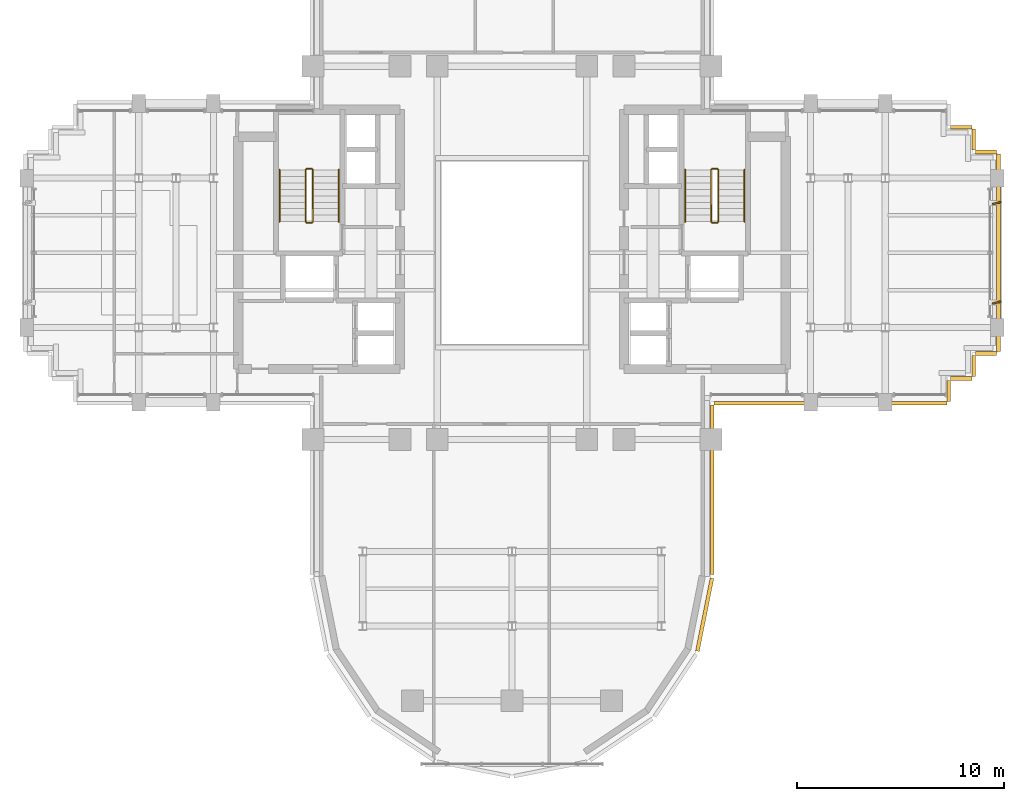
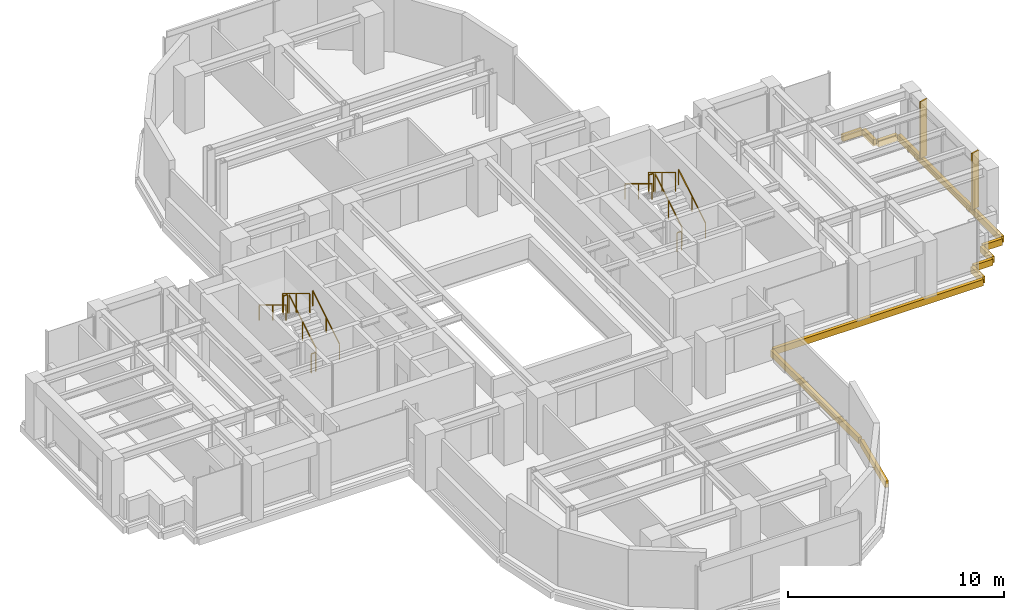
# One storey, part 12 of 13: 12 railings, 11 coverings, 2 shading devices.
"""IFC4 building model written with IfcOpenShell, lengths in metres."""

from ifc_helpers import new_model, si_unit, direction, frame, origin, origin_2d, place, context, subcontext, project, spatial, rectangle, extrude, source, transform, mapped, material, layer, layer_set, type_object, element, save


model = new_model("IFC4")

# Units and contexts
model_context = context("Model", 3, precision=1e-05, world=origin(), true_north=direction((0.0, 1.0)))
body_context = subcontext(model_context, "Body", "Model", "MODEL_VIEW")
ifc_project = project(units=[si_unit("LENGTHUNIT", "METRE"), si_unit("AREAUNIT", "SQUARE_METRE"), si_unit("VOLUMEUNIT", "CUBIC_METRE"), si_unit("PLANEANGLEUNIT", "RADIAN"), si_unit("MASSUNIT", "GRAM", prefix="KILO")], contexts=[model_context])

# Site, building, storey
site_placement = place(None, origin())
site = spatial("IfcSite", under=ifc_project, at=site_placement, CompositionType="ELEMENT")
building_placement = place(site_placement, origin())
building = spatial("IfcBuilding", under=site, at=building_placement, Name="Keilestroom Media Tower", CompositionType="ELEMENT")
storey_placement = place(building_placement, frame((0.0, 0.0, 141.39990234375)))
storey = spatial("IfcBuildingStorey", under=building, at=storey_placement, Name="L38", CompositionType="ELEMENT", Elevation=141.39990234375)

# Railings
ifc_material_1 = material(Name="Brushed Stainless Steel 1.4301", Category="steel")
railing_type_1 = type_object("IfcRailingType", Name="Stair-Pitch-Handrail-920", PredefinedType="HANDRAIL", material=ifc_material_1)
railing_1_placement = place(storey_placement, frame((-8.35009765625, 1.5, 0.18896484375)))
element("IfcRailing", 1, at=railing_1_placement, inside=storey, type_object=railing_type_1, Name="L38 ST-1 stair handrail 1", PredefinedType="HANDRAIL", context=body_context, shape_type="SweptSolid", body=[
    extrude(rectangle(XDim=0.048095703125, YDim=0.048095703125, at=origin_2d()), frame((0.0, 0.0, 0.8759765625), z_axis=(0.0, 0.855433747314, 0.517912255074), x_axis=(-1.0, 0.0, 0.0)), (0.0, 0.0, 1.0), 2.91796875),
    extrude(rectangle(XDim=0.0419921875, YDim=0.0419921875, at=origin_2d()), origin(), (0.0, 0.0, 1.0), 0.84375),
    extrude(rectangle(XDim=0.0419921875, YDim=0.0419921875, at=origin_2d()), frame((0.0, 1.248046875, 0.755615234375)), (0.0, 0.0, 1.0), 0.84375),
    extrude(rectangle(XDim=0.0419921875, YDim=0.0419921875, at=origin_2d()), frame((0.0, 2.49609375, 1.51123046875)), (0.0, 0.0, 1.0), 0.84375),
])
railing_2_placement = place(storey_placement, frame((-11.2099609375, 3.99609375, 1.888916015625)))
element("IfcRailing", 2, at=railing_2_placement, inside=storey, type_object=railing_type_1, Name="L38 ST-1 stair handrail 2", PredefinedType="HANDRAIL", context=body_context, shape_type="SweptSolid", body=[
    extrude(rectangle(XDim=0.048095703125, YDim=0.048095703125, at=origin_2d()), frame((0.0, 0.0, 0.8759765625), z_axis=(0.0, -0.855433747314, 0.517912255074), x_axis=(1.0, 0.0, 0.0)), (0.0, 0.0, 1.0), 2.91796875),
    extrude(rectangle(XDim=0.0419921875, YDim=0.0419921875, at=origin_2d()), origin(), (0.0, 0.0, 1.0), 0.84375),
    extrude(rectangle(XDim=0.0419921875, YDim=0.0419921875, at=origin_2d()), frame((0.0, -1.248046875, 0.755615234375)), (0.0, 0.0, 1.0), 0.84375),
    extrude(rectangle(XDim=0.0419921875, YDim=0.0419921875, at=origin_2d()), frame((0.0, -2.49609375, 1.51123046875)), (0.0, 0.0, 1.0), 0.84375),
])
railing_3_placement = place(storey_placement, frame((11.2099609375, 1.5, 0.18896484375)))
element("IfcRailing", 3, at=railing_3_placement, inside=storey, type_object=railing_type_1, Name="L38 ST-2 stair handrail 1", PredefinedType="HANDRAIL", context=body_context, shape_type="SweptSolid", body=[
    extrude(rectangle(XDim=0.048095703125, YDim=0.048095703125, at=origin_2d()), frame((0.0, 0.0, 0.8759765625), z_axis=(0.0, 0.855433747314, 0.517912255074), x_axis=(-1.0, 0.0, 0.0)), (0.0, 0.0, 1.0), 2.91796875),
    extrude(rectangle(XDim=0.0419921875, YDim=0.0419921875, at=origin_2d()), origin(), (0.0, 0.0, 1.0), 0.84375),
    extrude(rectangle(XDim=0.0419921875, YDim=0.0419921875, at=origin_2d()), frame((0.0, 1.248046875, 0.755615234375)), (0.0, 0.0, 1.0), 0.84375),
    extrude(rectangle(XDim=0.0419921875, YDim=0.0419921875, at=origin_2d()), frame((0.0, 2.49609375, 1.51123046875)), (0.0, 0.0, 1.0), 0.84375),
])
railing_4_placement = place(storey_placement, frame((8.35009765625, 3.99609375, 1.888916015625)))
element("IfcRailing", 4, at=railing_4_placement, inside=storey, type_object=railing_type_1, Name="L38 ST-2 stair handrail 2", PredefinedType="HANDRAIL", context=body_context, shape_type="SweptSolid", body=[
    extrude(rectangle(XDim=0.048095703125, YDim=0.048095703125, at=origin_2d()), frame((0.0, 0.0, 0.8759765625), z_axis=(0.0, -0.855433747314, 0.517912255074), x_axis=(1.0, 0.0, 0.0)), (0.0, 0.0, 1.0), 2.91796875),
    extrude(rectangle(XDim=0.0419921875, YDim=0.0419921875, at=origin_2d()), origin(), (0.0, 0.0, 1.0), 0.84375),
    extrude(rectangle(XDim=0.0419921875, YDim=0.0419921875, at=origin_2d()), frame((0.0, -1.248046875, 0.755615234375)), (0.0, 0.0, 1.0), 0.84375),
    extrude(rectangle(XDim=0.0419921875, YDim=0.0419921875, at=origin_2d()), frame((0.0, -2.49609375, 1.51123046875)), (0.0, 0.0, 1.0), 0.84375),
])
ifc_material_2 = material(Name="Painted Steel Balustrade", Category="steel")
railing_type_2 = type_object("IfcRailingType", Name="Stair-Well-And-Landing-Guard-1100", PredefinedType="GUARDRAIL", material=ifc_material_2)
railing_5_placement = place(storey_placement, frame((-9.610107421875, 1.5, 0.18896484375)))
element("IfcRailing", 5, at=railing_5_placement, inside=storey, type_object=railing_type_2, Name="L38 ST-1 stair guard 1", PredefinedType="GUARDRAIL", context=body_context, shape_type="SweptSolid", body=[
    extrude(rectangle(XDim=0.048095703125, YDim=0.048095703125, at=origin_2d()), frame((0.0, 0.0, 1.076171875), z_axis=(0.0, 0.855433747314, 0.517912255074), x_axis=(-1.0, 0.0, 0.0)), (0.0, 0.0, 1.0), 2.91796875),
    extrude(rectangle(XDim=0.0419921875, YDim=0.0419921875, at=origin_2d()), origin(), (0.0, 0.0, 1.0), 1.0439453125),
    extrude(rectangle(XDim=0.0419921875, YDim=0.0419921875, at=origin_2d()), frame((0.0, 1.248046875, 0.755615234375)), (0.0, 0.0, 1.0), 1.0439453125),
    extrude(rectangle(XDim=0.0419921875, YDim=0.0419921875, at=origin_2d()), frame((0.0, 2.49609375, 1.51123046875)), (0.0, 0.0, 1.0), 1.0439453125),
])
railing_6_placement = place(storey_placement, frame((-9.659912109375, 4.0458984375, 1.7001953125)))
element("IfcRailing", 6, at=railing_6_placement, inside=storey, type_object=railing_type_2, Name="L38 ST-1 stair guard 2", PredefinedType="GUARDRAIL", context=body_context, shape_type="SweptSolid", body=[
    extrude(rectangle(XDim=0.048095703125, YDim=0.048095703125, at=origin_2d()), frame((0.0, 0.0, 1.076171875), z_axis=(-1.0, 0.0, 0.0), x_axis=(0.0, -1.0, 0.0)), (0.0, 0.0, 1.0), 0.239990234375),
    extrude(rectangle(XDim=0.0419921875, YDim=0.0419921875, at=origin_2d()), origin(), (0.0, 0.0, 1.0), 1.0439453125),
    extrude(rectangle(XDim=0.0419921875, YDim=0.0419921875, at=origin_2d()), frame((-0.239990234375, 0.0, 0.0)), (0.0, 0.0, 1.0), 1.0439453125),
])
railing_7_placement = place(storey_placement, frame((-9.949951171875, 3.99609375, 1.888916015625)))
element("IfcRailing", 7, at=railing_7_placement, inside=storey, type_object=railing_type_2, Name="L38 ST-1 stair guard 3", PredefinedType="GUARDRAIL", context=body_context, shape_type="SweptSolid", body=[
    extrude(rectangle(XDim=0.048095703125, YDim=0.048095703125, at=origin_2d()), frame((0.0, 0.0, 1.076171875), z_axis=(0.0, -0.855433747314, 0.517912255074), x_axis=(1.0, 0.0, 0.0)), (0.0, 0.0, 1.0), 2.91796875),
    extrude(rectangle(XDim=0.0419921875, YDim=0.0419921875, at=origin_2d()), origin(), (0.0, 0.0, 1.0), 1.0439453125),
    extrude(rectangle(XDim=0.0419921875, YDim=0.0419921875, at=origin_2d()), frame((0.0, -1.248046875, 0.755615234375)), (0.0, 0.0, 1.0), 1.0439453125),
    extrude(rectangle(XDim=0.0419921875, YDim=0.0419921875, at=origin_2d()), frame((0.0, -2.49609375, 1.51123046875)), (0.0, 0.0, 1.0), 1.0439453125),
])
railing_8_placement = place(storey_placement, frame((-9.659912109375, 1.449951171875, 0.0)))
element("IfcRailing", 8, at=railing_8_placement, inside=storey, type_object=railing_type_2, Name="L38 ST-1 stair guard 4", PredefinedType="GUARDRAIL", context=body_context, shape_type="SweptSolid", body=[
    extrude(rectangle(XDim=0.048095703125, YDim=0.048095703125, at=origin_2d()), frame((0.0, 0.0, 1.076171875), z_axis=(-1.0, 0.0, 0.0), x_axis=(0.0, -1.0, 0.0)), (0.0, 0.0, 1.0), 0.239990234375),
    extrude(rectangle(XDim=0.0419921875, YDim=0.0419921875, at=origin_2d()), origin(), (0.0, 0.0, 1.0), 1.0439453125),
    extrude(rectangle(XDim=0.0419921875, YDim=0.0419921875, at=origin_2d()), frame((-0.239990234375, 0.0, 0.0)), (0.0, 0.0, 1.0), 1.0439453125),
])
railing_9_placement = place(storey_placement, frame((9.949951171875, 1.5, 0.18896484375)))
element("IfcRailing", 9, at=railing_9_placement, inside=storey, type_object=railing_type_2, Name="L38 ST-2 stair guard 1", PredefinedType="GUARDRAIL", context=body_context, shape_type="SweptSolid", body=[
    extrude(rectangle(XDim=0.048095703125, YDim=0.048095703125, at=origin_2d()), frame((0.0, 0.0, 1.076171875), z_axis=(0.0, 0.855433747314, 0.517912255074), x_axis=(-1.0, 0.0, 0.0)), (0.0, 0.0, 1.0), 2.91796875),
    extrude(rectangle(XDim=0.0419921875, YDim=0.0419921875, at=origin_2d()), origin(), (0.0, 0.0, 1.0), 1.0439453125),
    extrude(rectangle(XDim=0.0419921875, YDim=0.0419921875, at=origin_2d()), frame((0.0, 1.248046875, 0.755615234375)), (0.0, 0.0, 1.0), 1.0439453125),
    extrude(rectangle(XDim=0.0419921875, YDim=0.0419921875, at=origin_2d()), frame((0.0, 2.49609375, 1.51123046875)), (0.0, 0.0, 1.0), 1.0439453125),
])
railing_10_placement = place(storey_placement, frame((9.89990234375, 4.0458984375, 1.7001953125)))
element("IfcRailing", 10, at=railing_10_placement, inside=storey, type_object=railing_type_2, Name="L38 ST-2 stair guard 2", PredefinedType="GUARDRAIL", context=body_context, shape_type="SweptSolid", body=[
    extrude(rectangle(XDim=0.048095703125, YDim=0.048095703125, at=origin_2d()), frame((0.0, 0.0, 1.076171875), z_axis=(-1.0, 0.0, 0.0), x_axis=(0.0, -1.0, 0.0)), (0.0, 0.0, 1.0), 0.239990234375),
    extrude(rectangle(XDim=0.0419921875, YDim=0.0419921875, at=origin_2d()), origin(), (0.0, 0.0, 1.0), 1.0439453125),
    extrude(rectangle(XDim=0.0419921875, YDim=0.0419921875, at=origin_2d()), frame((-0.239990234375, 0.0, 0.0)), (0.0, 0.0, 1.0), 1.0439453125),
])
railing_11_placement = place(storey_placement, frame((9.610107421875, 3.99609375, 1.888916015625)))
element("IfcRailing", 11, at=railing_11_placement, inside=storey, type_object=railing_type_2, Name="L38 ST-2 stair guard 3", PredefinedType="GUARDRAIL", context=body_context, shape_type="SweptSolid", body=[
    extrude(rectangle(XDim=0.048095703125, YDim=0.048095703125, at=origin_2d()), frame((0.0, 0.0, 1.076171875), z_axis=(0.0, -0.855433747314, 0.517912255074), x_axis=(1.0, 0.0, 0.0)), (0.0, 0.0, 1.0), 2.91796875),
    extrude(rectangle(XDim=0.0419921875, YDim=0.0419921875, at=origin_2d()), origin(), (0.0, 0.0, 1.0), 1.0439453125),
    extrude(rectangle(XDim=0.0419921875, YDim=0.0419921875, at=origin_2d()), frame((0.0, -1.248046875, 0.755615234375)), (0.0, 0.0, 1.0), 1.0439453125),
    extrude(rectangle(XDim=0.0419921875, YDim=0.0419921875, at=origin_2d()), frame((0.0, -2.49609375, 1.51123046875)), (0.0, 0.0, 1.0), 1.0439453125),
])
railing_12_placement = place(storey_placement, frame((9.89990234375, 1.449951171875, 0.0)))
element("IfcRailing", 12, at=railing_12_placement, inside=storey, type_object=railing_type_2, Name="L38 ST-2 stair guard 4", PredefinedType="GUARDRAIL", context=body_context, shape_type="SweptSolid", body=[
    extrude(rectangle(XDim=0.048095703125, YDim=0.048095703125, at=origin_2d()), frame((0.0, 0.0, 1.076171875), z_axis=(-1.0, 0.0, 0.0), x_axis=(0.0, -1.0, 0.0)), (0.0, 0.0, 1.0), 0.239990234375),
    extrude(rectangle(XDim=0.0419921875, YDim=0.0419921875, at=origin_2d()), origin(), (0.0, 0.0, 1.0), 1.0439453125),
    extrude(rectangle(XDim=0.0419921875, YDim=0.0419921875, at=origin_2d()), frame((-0.239990234375, 0.0, 0.0)), (0.0, 0.0, 1.0), 1.0439453125),
])

# Shading devices
ifc_material_3 = material(Name="Bronze Anodised Aluminium", Category="aluminium")
shading_device_type = type_object("IfcShadingDeviceType", Name="Facade-Vertical-Sunshade-Fin-SHD-1", PredefinedType="USERDEFINED", material=ifc_material_3)
shared_shape_1 = source(origin(), body_context, "Body", "SweptSolid", [
    extrude(rectangle(XDim=0.419921875, YDim=0.080078125, at=origin_2d()), origin(), (0.0, 0.0, 1.0), 3.199951171875),
])
for number, where, z_axis, x_axis, name in (
    (13, (23.3701171875, -2.39990234375, 0.0), (0.0, 0.0, 1.0), (0.970422263272, 0.241413816807, 0.0), "L38 Twisting Sunshade Fin SHD-1 051"),
    (14, (23.3701171875, 2.39990234375, 0.0), (0.0, 0.0, 1.0), (0.970422263272, 0.241413816807, 0.0), "L38 Twisting Sunshade Fin SHD-1 052"),
):
    element("IfcShadingDevice", number, at=place(storey_placement, frame(where, z_axis=z_axis, x_axis=x_axis)), inside=storey, type_object=shading_device_type, Name=name, ObjectType="SUNSHADE", PredefinedType="USERDEFINED", context=body_context, shape_type="MappedRepresentation", body=[
        mapped(shared_shape_1, transform((0.0, 0.0, 0.0), x_axis=(1.0, 0.0, 0.0), y_axis=(0.0, 1.0, 0.0), z_axis=(0.0, 0.0, 1.0), scale=1.0)),
    ])

# Coverings
ifc_material_4 = material(Name="Precast concrete C40/50", Category="concrete")
ifc_layer = layer(ifc_material_4, 0.1201171875)
ifc_layer_set = layer_set([ifc_layer], Name="Precast concrete C40/50")
covering_type = type_object("IfcCoveringType", Name="Exterior-Precast-Spandrel-Cladding-Panel-120", PredefinedType="CLADDING", material=ifc_layer_set)
shared_shape_2 = source(origin(), body_context, "Body", "SweptSolid", [
    extrude(rectangle(XDim=1.02001953125, YDim=0.179931640625, at=origin_2d()), origin(), (0.0, 0.0, 1.0), 0.360107421875),
])
for number, where, z_axis, x_axis, name in (
    (15, (22.860107421875, -4.860107421875, -0.5400390625), (0.0, 0.0, 1.0), (-1.0, 0.0, 0.0), "L38 Precast Slab-Edge Fascia Cornice 01"),
    (16, (22.260009765625, -5.4599609375, -0.5400390625), (0.0, 0.0, 1.0), (0.0, -1.0, 0.0), "L38 Precast Slab-Edge Fascia Cornice 02"),
    (17, (21.659912109375, -6.06005859375, -0.5400390625), (0.0, 0.0, 1.0), (-1.0, 0.0, 0.0), "L38 Precast Slab-Edge Fascia Cornice 03"),
    (18, (21.06005859375, -6.659912109375, -0.5400390625), (0.0, 0.0, 1.0), (0.0, -1.0, 0.0), "L38 Precast Slab-Edge Fascia Cornice 04"),
    (19, (21.659912109375, 6.06005859375, -0.5400390625), (0.0, 0.0, 1.0), (1.0, 0.0, 0.0), "L38 Precast Slab-Edge Fascia Cornice 39"),
    (20, (22.260009765625, 5.4599609375, -0.5400390625), (0.0, 0.0, 1.0), (0.0, -1.0, 0.0), "L38 Precast Slab-Edge Fascia Cornice 40"),
    (21, (22.860107421875, 4.860107421875, -0.5400390625), (0.0, 0.0, 1.0), (1.0, 0.0, 0.0), "L38 Precast Slab-Edge Fascia Cornice 41"),
):
    element("IfcCovering", number, at=place(storey_placement, frame(where, z_axis=z_axis, x_axis=x_axis)), inside=storey, type_object=covering_type, Name=name, PredefinedType="CLADDING", context=body_context, shape_type="MappedRepresentation", body=[
        mapped(shared_shape_2, transform((0.0, 0.0, 0.0), x_axis=(1.0, 0.0, 0.0), y_axis=(0.0, 1.0, 0.0), z_axis=(0.0, 0.0, 1.0), scale=1.0)),
    ])
shared_shape_3 = source(origin(), body_context, "Body", "SweptSolid", [
    extrude(rectangle(XDim=8.166015625, YDim=0.179931640625, at=origin_2d()), origin(), (0.0, 0.0, 1.0), 0.360107421875),
])
covering_1_placement = place(storey_placement, frame((9.659912109375, -11.43310546875, -0.5400390625), z_axis=(0.0, 0.0, 1.0), x_axis=(0.0, -1.0, 0.0)))
element("IfcCovering", 22, at=covering_1_placement, inside=storey, type_object=covering_type, Name="L38 Precast Slab-Edge Fascia Cornice 06", PredefinedType="CLADDING", context=body_context, shape_type="MappedRepresentation", body=[
    mapped(shared_shape_3, transform((0.0, 0.0, 0.0), x_axis=(1.0, 0.0, 0.0), y_axis=(0.0, 1.0, 0.0), z_axis=(0.0, 0.0, 1.0), scale=1.0)),
])
shared_shape_4 = source(origin(), body_context, "Body", "SweptSolid", [
    extrude(rectangle(XDim=3.58349609375, YDim=0.179931640625, at=origin_2d()), origin(), (0.0, 0.0, 1.0), 0.360107421875),
])
covering_2_placement = place(storey_placement, frame((9.29296875, -17.45166015625, -0.5400390625), z_axis=(0.0, 0.0, 1.0), x_axis=(-0.195098880975, -0.980783577882, 0.0)))
element("IfcCovering", 23, at=covering_2_placement, inside=storey, type_object=covering_type, Name="L38 Precast Slab-Edge Fascia Cornice 07", PredefinedType="CLADDING", context=body_context, shape_type="MappedRepresentation", body=[
    mapped(shared_shape_4, transform((0.0, 0.0, 0.0), x_axis=(1.0, 0.0, 0.0), y_axis=(0.0, 1.0, 0.0), z_axis=(0.0, 0.0, 1.0), scale=1.0)),
])
shared_shape_5 = source(origin(), body_context, "Body", "SweptSolid", [
    extrude(rectangle(XDim=9.5400390625, YDim=0.179931640625, at=origin_2d()), origin(), (0.0, 0.0, 1.0), 0.360107421875),
])
covering_3_placement = place(storey_placement, frame((23.4599609375, 0.0, -0.5400390625), z_axis=(0.0, 0.0, 1.0), x_axis=(0.0, -1.0, 0.0)))
element("IfcCovering", 24, at=covering_3_placement, inside=storey, type_object=covering_type, Name="L38 Precast Slab-Edge Fascia Cornice 42", PredefinedType="CLADDING", context=body_context, shape_type="MappedRepresentation", body=[
    mapped(shared_shape_5, transform((0.0, 0.0, 0.0), x_axis=(1.0, 0.0, 0.0), y_axis=(0.0, 1.0, 0.0), z_axis=(0.0, 0.0, 1.0), scale=1.0)),
])
shared_shape_6 = source(origin(), body_context, "Body", "SweptSolid", [
    extrude(rectangle(XDim=11.219970703125, YDim=0.179931640625, at=origin_2d()), origin(), (0.0, 0.0, 1.0), 0.360107421875),
])
covering_4_placement = place(storey_placement, frame((15.360107421875, -7.260009765625, -0.5400390625), z_axis=(0.0, 0.0, 1.0), x_axis=(-1.0, 0.0, 0.0)))
element("IfcCovering", 25, at=covering_4_placement, inside=storey, type_object=covering_type, Name="L38 Precast Slab-Edge Fascia Cornice 05", PredefinedType="CLADDING", context=body_context, shape_type="MappedRepresentation", body=[
    mapped(shared_shape_6, transform((0.0, 0.0, 0.0), x_axis=(1.0, 0.0, 0.0), y_axis=(0.0, 1.0, 0.0), z_axis=(0.0, 0.0, 1.0), scale=1.0)),
])

save(model, "model.ifc")
